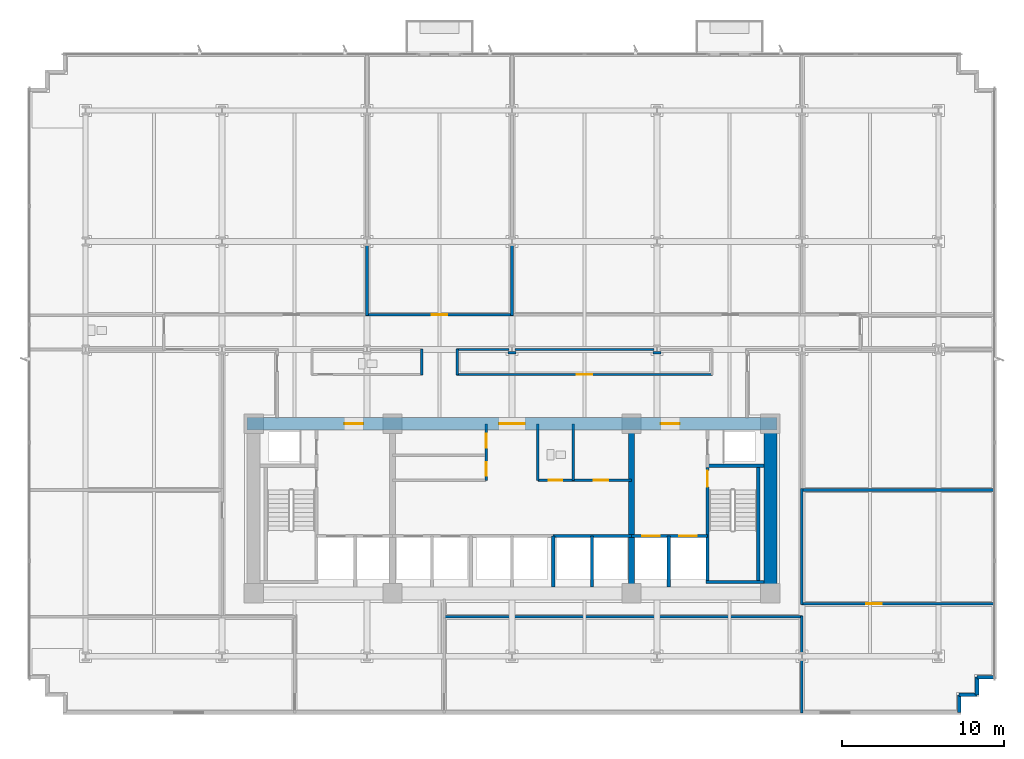
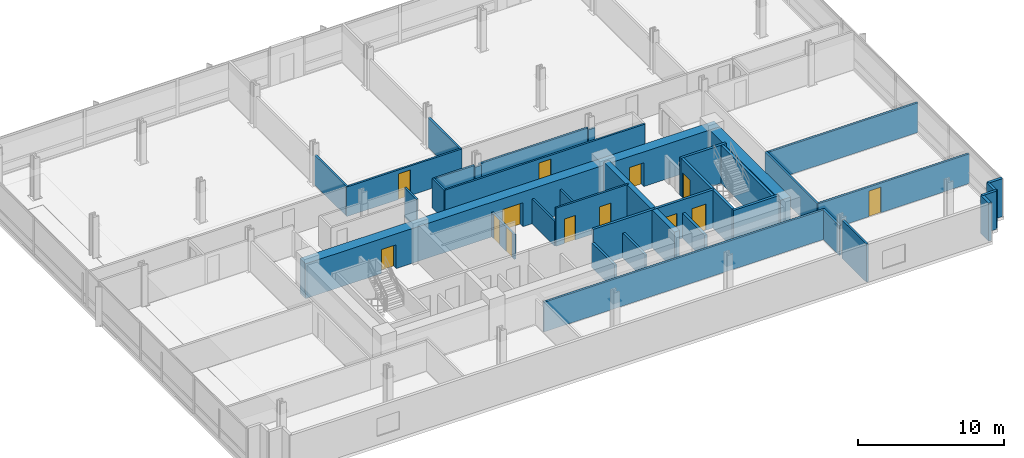
# One storey, part 9 of 14: 36 walls, 13 doors, 13 openings.
"""IFC4 building model written with IfcOpenShell, lengths in metres."""

from ifc_helpers import new_model, si_unit, direction, frame, frame_2d, origin, place, context, subcontext, project, spatial, rectangle, extrude, material, layer, layer_set, type_object, element, fill, save


model = new_model("IFC4")

# Units and contexts
model_context = context("Model", 3, precision=1e-05, world=origin(), true_north=direction((0.0, 1.0)))
body_context = subcontext(model_context, "Body", "Model", "MODEL_VIEW")
ifc_project = project(units=[si_unit("LENGTHUNIT", "METRE"), si_unit("AREAUNIT", "SQUARE_METRE"), si_unit("VOLUMEUNIT", "CUBIC_METRE"), si_unit("PLANEANGLEUNIT", "RADIAN"), si_unit("MASSUNIT", "GRAM", prefix="KILO")], contexts=[model_context])

# Site, building, storey
site_placement = place(None, origin())
site = spatial("IfcSite", under=ifc_project, at=site_placement, CompositionType="ELEMENT")
building_placement = place(site_placement, origin())
building = spatial("IfcBuilding", under=site, at=building_placement, Name="Solmavex Isthmus Hotel", CompositionType="ELEMENT")
storey_placement = place(building_placement, frame((0.0, 0.0, 50.550048828125)))
storey = spatial("IfcBuildingStorey", under=building, at=storey_placement, Name="L13", CompositionType="ELEMENT", Elevation=50.550048828125)

# Walls
ifc_material_1 = material(Name="Precast Concrete C40/50", Category="concrete")
ifc_layer_1 = layer(ifc_material_1, 0.25)
ifc_layer_set_1 = layer_set([ifc_layer_1], Name="Precast Concrete C40/50")
wall_type_1 = type_object("IfcWallType", Name="EW-TWR-250", PredefinedType="STANDARD", material=ifc_layer_set_1)
wall_1_placement = place(storey_placement, frame((29.889892578125, -18.18994140625, 0.0), z_axis=(0.0, 0.0, 1.0), x_axis=(-1.0, 0.0, 0.0)))
element("IfcWall", 1, at=wall_1_placement, inside=storey, type_object=wall_type_1, Name="Serrated Corner Facade Panel L13-16", PredefinedType="STANDARD", context=body_context, shape_type="SweptSolid", body=[
    extrude(rectangle(XDim=1.099853515625, YDim=0.219970703125, at=frame_2d((0.5498046875, 0.0))), origin(), (0.0, 0.0, 1.0), 3.18994140625),
])
for number, where, z_axis, x_axis, name in (
    (2, (28.7900390625, -18.18994140625, 0.0), (0.0, 0.0, 1.0), (0.0, -1.0, 0.0), "Serrated Corner Facade Panel L13-17"),
    (3, (28.7900390625, -19.2900390625, 0.0), (0.0, 0.0, 1.0), (-1.0, 0.0, 0.0), "Serrated Corner Facade Panel L13-18"),
):
    element("IfcWall", number, at=place(storey_placement, frame(where, z_axis=z_axis, x_axis=x_axis)), inside=storey, type_object=wall_type_1, Name=name, PredefinedType="STANDARD", context=body_context, shape_type="SweptSolid", body=[
        extrude(rectangle(XDim=1.10009765625, YDim=0.219970703125, at=frame_2d((0.550048828125, 0.0))), origin(), (0.0, 0.0, 1.0), 3.18994140625),
    ])
wall_2_placement = place(storey_placement, frame((27.68994140625, -19.2900390625, 0.0), z_axis=(0.0, 0.0, 1.0), x_axis=(0.0, -1.0, 0.0)))
element("IfcWall", 4, at=wall_2_placement, inside=storey, type_object=wall_type_1, Name="Serrated Corner Facade Panel L13-19", PredefinedType="STANDARD", context=body_context, shape_type="SweptSolid", body=[
    extrude(rectangle(XDim=1.099853515625, YDim=0.219970703125, at=frame_2d((0.5498046875, 0.0))), origin(), (0.0, 0.0, 1.0), 3.18994140625),
])
ifc_material_2 = material(Name="Gypsum plasterboard lining", Category="gypsum")
ifc_layer_2 = layer(ifc_material_2, 0.159912109375)
ifc_layer_set_2 = layer_set([ifc_layer_2], Name="Gypsum plasterboard lining")
wall_type_2 = type_object("IfcWallType", Name="IW-COMP-160", PredefinedType="PARTITIONING", material=ifc_layer_set_2)
for number, where, z_axis, x_axis, name in (
    (5, (-8.97607421875, 8.613037109375, 0.0), (0.0, 0.0, 1.0), (0.0, -1.0, 0.0), "Interior Partition Wall W-L13-P027"),
    (6, (0.0, 8.613037109375, 0.0), (0.0, 0.0, 1.0), (0.0, -1.0, 0.0), "Interior Partition Wall W-L13-P031"),
):
    element("IfcWall", number, at=place(storey_placement, frame(where, z_axis=z_axis, x_axis=x_axis)), inside=storey, type_object=wall_type_2, Name=name, PredefinedType="PARTITIONING", context=body_context, shape_type="SweptSolid", body=[
        extrude(rectangle(XDim=4.403076171875, YDim=0.159912109375, at=frame_2d((2.20166015625, 0.0))), origin(), (0.0, 0.0, 1.0), 2.4794921875),
    ])
wall_3_placement = place(storey_placement, frame((17.951904296875, -6.51806640625, 0.0), z_axis=(0.0, 0.0, 1.0), x_axis=(0.0, -1.0, 0.0)))
element("IfcWall", 7, at=wall_3_placement, inside=storey, type_object=wall_type_2, Name="Interior Partition Wall W-L13-P048", PredefinedType="PARTITIONING", context=body_context, shape_type="SweptSolid", body=[
    extrude(rectangle(XDim=7.171875, YDim=0.159912109375, at=frame_2d((3.5859375, 0.0))), origin(), (0.0, 0.0, 1.0), 2.4794921875),
])

# Wall, opening, door
wall_4_placement = place(storey_placement, frame((17.912109375, -13.64990234375, 0.0), z_axis=(0.0, 0.0, 1.0), x_axis=(1.0, 0.0, 0.0)))
wall_4 = element("IfcWall", 8, at=wall_4_placement, inside=storey, type_object=wall_type_2, Name="Interior Partition Wall W-L13-P049", PredefinedType="PARTITIONING", context=body_context, shape_type="SweptSolid", body=[
    extrude(rectangle(XDim=12.0078125, YDim=0.159912109375, at=frame_2d((6.00390625, 0.0))), origin(), (0.0, 0.0, 1.0), 2.4794921875),
])
opening_1_placement = place(wall_4_placement, frame((4.026123046875, 0.0, 0.0)))
opening_1 = element("IfcOpeningElement", 9, at=opening_1_placement, cuts=wall_4, Name="Opening ID-C095", PredefinedType="OPENING", context=body_context, shape_type="SweptSolid", body=[
    extrude(rectangle(XDim=0.949951171875, YDim=2.14990234375, at=frame_2d((0.47509765625, 1.074951171875))), frame((0.0, 0.08984375, 0.0), z_axis=(0.0, -1.0, 0.0), x_axis=(1.0, 0.0, 0.0)), (0.0, 0.0, 1.0), 0.179931640625),
])
ifc_material_3 = material(Name="Hardwood timber", Category="wood")
door_type_1 = type_object("IfcDoorType", Name="IDR-FD60-0950", OperationType="NOTDEFINED", PredefinedType="DOOR", material=ifc_material_3)
door_1_placement = place(opening_1_placement, origin())
door_1 = element("IfcDoor", 10, at=door_1_placement, inside=storey, type_object=door_type_1, Name="Corporate Briefing Office Door L13-11", OperationType="SINGLE_SWING_LEFT", OverallHeight=2.14990234375, OverallWidth=0.949951171875, PredefinedType="DOOR", context=body_context, shape_type="SweptSolid", body=[
    extrude(rectangle(XDim=0.949951171875, YDim=2.14990234375, at=frame_2d((0.47509765625, 1.074951171875))), frame((0.0, 0.02490234375, 0.0), z_axis=(0.0, -1.0, 0.0), x_axis=(1.0, 0.0, 0.0)), (0.0, 0.0, 1.0), 0.050048828125),
])
fill(opening_1, door_1)

# Walls
wall_5_placement = place(storey_placement, frame((17.951904296875, -16.72509765625, 0.0), z_axis=(0.0, 0.0, 1.0), x_axis=(0.0, 1.0, 0.0)))
element("IfcWall", 11, at=wall_5_placement, inside=storey, type_object=wall_type_2, Name="Interior Partition Wall W-L13-P051", PredefinedType="PARTITIONING", context=body_context, shape_type="SweptSolid", body=[
    extrude(rectangle(XDim=2.315185546875, YDim=0.159912109375, at=frame_2d((1.15771484375, 0.0))), origin(), (0.0, 0.0, 1.0), 2.4794921875),
])
wall_6_placement = place(storey_placement, frame((17.991943359375, -14.449951171875, 0.0), z_axis=(0.0, 0.0, 1.0), x_axis=(-1.0, 0.0, 0.0)))
element("IfcWall", 12, at=wall_6_placement, inside=storey, type_object=wall_type_2, Name="Interior Partition Wall W-L13-P052", PredefinedType="PARTITIONING", context=body_context, shape_type="SweptSolid", body=[
    extrude(rectangle(XDim=22.23193359375, YDim=0.159912109375, at=frame_2d((11.115966796875, 0.0))), origin(), (0.0, 0.0, 1.0), 2.4794921875),
])
wall_7_placement = place(storey_placement, frame((17.951904296875, -20.419921875, 0.0), z_axis=(0.0, 0.0, 1.0), x_axis=(0.0, 1.0, 0.0)))
element("IfcWall", 13, at=wall_7_placement, inside=storey, type_object=wall_type_2, Name="Interior Partition Wall W-L13-P053", PredefinedType="PARTITIONING", context=body_context, shape_type="SweptSolid", body=[
    extrude(rectangle(XDim=3.344970703125, YDim=0.159912109375, at=frame_2d((1.67236328125, 0.0))), origin(), (0.0, 0.0, 1.0), 3.18994140625),
])
wall_8_placement = place(storey_placement, frame((17.912109375, -6.60009765625, 0.0), z_axis=(0.0, 0.0, 1.0), x_axis=(1.0, 0.0, 0.0)))
element("IfcWall", 14, at=wall_8_placement, inside=storey, type_object=wall_type_2, Name="Interior Partition Wall W-L13-P054", PredefinedType="PARTITIONING", context=body_context, shape_type="SweptSolid", body=[
    extrude(rectangle(XDim=12.0078125, YDim=0.159912109375, at=frame_2d((6.00390625, 0.0))), origin(), (0.0, 0.0, 1.0), 2.4794921875),
])

# Wall, openings, doors
ifc_layer_3 = layer(ifc_material_2, 0.14990234375)
ifc_layer_set_3 = layer_set([ifc_layer_3], Name="Gypsum plasterboard lining")
wall_type_3 = type_object("IfcWallType", Name="IW-CORR-150", PredefinedType="PARTITIONING", material=ifc_layer_set_3)
wall_9_placement = place(storey_placement, frame((-1.60009765625, -6.0, 0.0), z_axis=(0.0, 0.0, 1.0), x_axis=(0.0, 1.0, 0.0)))
wall_9 = element("IfcWall", 15, at=wall_9_placement, inside=storey, type_object=wall_type_3, Name="Interior Partition Wall W-L13-BOH-WE", PredefinedType="PARTITIONING", context=body_context, shape_type="SweptSolid", body=[
    extrude(rectangle(XDim=3.5, YDim=0.14990234375, at=frame_2d((1.75, 0.0))), origin(), (0.0, 0.0, 1.0), 2.074951171875),
])
opening_2_placement = place(wall_9_placement, frame((0.27490234375, 0.0, 0.0)))
opening_2 = element("IfcOpeningElement", 16, at=opening_2_placement, cuts=wall_9, Name="Opening ID-R085", PredefinedType="OPENING", context=body_context, shape_type="SweptSolid", body=[
    extrude(rectangle(XDim=0.85009765625, YDim=2.050048828125, at=frame_2d((0.425048828125, 1.02490234375))), frame((0.0, 0.0849609375, 0.0), z_axis=(0.0, -1.0, 0.0), x_axis=(1.0, 0.0, 0.0)), (0.0, 0.0, 1.0), 0.169921875),
])
opening_3_placement = place(wall_9_placement, frame((2.02490234375, 0.0, 0.0)))
opening_3 = element("IfcOpeningElement", 17, at=opening_3_placement, cuts=wall_9, Name="Opening ID-R085", PredefinedType="OPENING", context=body_context, shape_type="SweptSolid", body=[
    extrude(rectangle(XDim=0.85009765625, YDim=2.050048828125, at=frame_2d((0.425048828125, 1.02490234375))), frame((0.0, 0.0849609375, 0.0), z_axis=(0.0, -1.0, 0.0), x_axis=(1.0, 0.0, 0.0)), (0.0, 0.0, 1.0), 0.169921875),
])
ifc_material_4 = material(Name="Steel ASTM A500 Grade C", Category="steel")
door_type_2 = type_object("IfcDoorType", Name="IDR-FD60-0850", OperationType="NOTDEFINED", PredefinedType="DOOR", material=ifc_material_4)
door_2_placement = place(opening_2_placement, origin())
door_2 = element("IfcDoor", 18, at=door_2_placement, inside=storey, type_object=door_type_2, Name="Housekeeping Door L13", OperationType="SINGLE_SWING_LEFT", OverallHeight=2.050048828125, OverallWidth=0.85009765625, PredefinedType="DOOR", context=body_context, shape_type="SweptSolid", body=[
    extrude(rectangle(XDim=0.85009765625, YDim=2.050048828125, at=frame_2d((0.425048828125, 1.02490234375))), frame((0.0, 0.02490234375, 0.0), z_axis=(0.0, -1.0, 0.0), x_axis=(1.0, 0.0, 0.0)), (0.0, 0.0, 1.0), 0.050048828125),
])
fill(opening_2, door_2)
door_3_placement = place(opening_3_placement, origin())
door_3 = element("IfcDoor", 19, at=door_3_placement, inside=storey, type_object=door_type_2, Name="Valet Store Door L13", OperationType="SINGLE_SWING_RIGHT", OverallHeight=2.050048828125, OverallWidth=0.85009765625, PredefinedType="DOOR", context=body_context, shape_type="SweptSolid", body=[
    extrude(rectangle(XDim=0.85009765625, YDim=2.050048828125, at=frame_2d((0.425048828125, 1.02490234375))), frame((0.0, 0.02490234375, 0.0), z_axis=(0.0, -1.0, 0.0), x_axis=(1.0, 0.0, 0.0)), (0.0, 0.0, 1.0), 0.050048828125),
])
fill(opening_3, door_3)

wall_10_placement = place(storey_placement, frame((1.60009765625, -6.0, 0.0), z_axis=(0.0, 0.0, 1.0), x_axis=(1.0, 0.0, 0.0)))
wall_10 = element("IfcWall", 20, at=wall_10_placement, inside=storey, type_object=wall_type_3, Name="Interior Partition Wall W-L13-BOH-ES", PredefinedType="PARTITIONING", context=body_context, shape_type="SweptSolid", body=[
    extrude(rectangle(XDim=5.7998046875, YDim=0.14990234375, at=frame_2d((2.89990234375, 0.0))), origin(), (0.0, 0.0, 1.0), 3.18994140625),
])
opening_4_placement = place(wall_10_placement, frame((0.675048828125, 0.0, 0.0)))
opening_4 = element("IfcOpeningElement", 21, at=opening_4_placement, cuts=wall_10, Name="Opening ID-R085", PredefinedType="OPENING", context=body_context, shape_type="SweptSolid", body=[
    extrude(rectangle(XDim=0.85009765625, YDim=2.050048828125, at=frame_2d((0.425048828125, 1.02490234375))), frame((0.0, 0.0849609375, 0.0), z_axis=(0.0, -1.0, 0.0), x_axis=(1.0, 0.0, 0.0)), (0.0, 0.0, 1.0), 0.169921875),
])
opening_5_placement = place(wall_10_placement, frame((3.449951171875, 0.0, 0.0)))
opening_5 = element("IfcOpeningElement", 22, at=opening_5_placement, cuts=wall_10, Name="Opening ID-C090", PredefinedType="OPENING", context=body_context, shape_type="SweptSolid", body=[
    extrude(rectangle(XDim=0.89990234375, YDim=2.10009765625, at=frame_2d((0.449951171875, 1.050048828125))), frame((0.0, 0.0849609375, 0.0), z_axis=(0.0, -1.0, 0.0), x_axis=(1.0, 0.0, 0.0)), (0.0, 0.0, 1.0), 0.169921875),
])
door_4_placement = place(opening_4_placement, frame((0.85009765625, 0.0, 0.0), z_axis=(0.0, 0.0, 1.0), x_axis=(-1.0, 0.0, 0.0)))
door_4 = element("IfcDoor", 23, at=door_4_placement, inside=storey, type_object=door_type_2, Name="Staff WC Door L13", OperationType="SINGLE_SWING_LEFT", OverallHeight=2.050048828125, OverallWidth=0.85009765625, PredefinedType="DOOR", context=body_context, shape_type="SweptSolid", body=[
    extrude(rectangle(XDim=0.85009765625, YDim=2.050048828125, at=frame_2d((0.425048828125, 1.02490234375))), frame((0.0, 0.02490234375, 0.0), z_axis=(0.0, -1.0, 0.0), x_axis=(1.0, 0.0, 0.0)), (0.0, 0.0, 1.0), 0.050048828125),
])
fill(opening_4, door_4)
door_type_3 = type_object("IfcDoorType", Name="IDR-FD60-0900", OperationType="NOTDEFINED", PredefinedType="DOOR", material=ifc_material_3)
door_5_placement = place(opening_5_placement, frame((0.89990234375, 0.0, 0.0), z_axis=(0.0, 0.0, 1.0), x_axis=(-1.0, 0.0, 0.0)))
door_5 = element("IfcDoor", 24, at=door_5_placement, inside=storey, type_object=door_type_3, Name="Room Service Door L13", OperationType="SINGLE_SWING_RIGHT", OverallHeight=2.10009765625, OverallWidth=0.89990234375, PredefinedType="DOOR", context=body_context, shape_type="SweptSolid", body=[
    extrude(rectangle(XDim=0.89990234375, YDim=2.10009765625, at=frame_2d((0.449951171875, 1.050048828125))), frame((0.0, 0.02490234375, 0.0), z_axis=(0.0, -1.0, 0.0), x_axis=(1.0, 0.0, 0.0)), (0.0, 0.0, 1.0), 0.050048828125),
])
fill(opening_5, door_5)

# Wall
wall_11_placement = place(storey_placement, frame((1.60009765625, -6.0, 0.0), z_axis=(0.0, 0.0, 1.0), x_axis=(0.0, 1.0, 0.0)))
element("IfcWall", 25, at=wall_11_placement, inside=storey, type_object=wall_type_3, Name="Interior Partition Wall W-L13-BOH-EW", PredefinedType="PARTITIONING", context=body_context, shape_type="SweptSolid", body=[
    extrude(rectangle(XDim=3.5, YDim=0.14990234375, at=frame_2d((1.75, 0.0))), origin(), (0.0, 0.0, 1.0), 2.074951171875),
])

# Wall, opening, door
wall_12_placement = place(storey_placement, frame((-9.05810546875, 4.25, 0.0), z_axis=(0.0, 0.0, 1.0), x_axis=(1.0, 0.0, 0.0)))
wall_12 = element("IfcWall", 26, at=wall_12_placement, inside=storey, type_object=wall_type_3, Name="Interior Partition Wall W-L13-P002", PredefinedType="PARTITIONING", context=body_context, shape_type="SweptSolid", body=[
    extrude(rectangle(XDim=9.14013671875, YDim=0.14990234375, at=frame_2d((4.570068359375, 0.0))), origin(), (0.0, 0.0, 1.0), 2.4794921875),
])
opening_6_placement = place(wall_12_placement, frame((4.094970703125, 0.0, 0.0)))
opening_6 = element("IfcOpeningElement", 27, at=opening_6_placement, cuts=wall_12, Name="Opening ID-C095", PredefinedType="OPENING", context=body_context, shape_type="SweptSolid", body=[
    extrude(rectangle(XDim=0.949951171875, YDim=2.14990234375, at=frame_2d((0.47509765625, 1.074951171875))), frame((0.0, 0.0849609375, 0.0), z_axis=(0.0, -1.0, 0.0), x_axis=(1.0, 0.0, 0.0)), (0.0, 0.0, 1.0), 0.169921875),
])
door_6_placement = place(opening_6_placement, origin())
door_6 = element("IfcDoor", 28, at=door_6_placement, inside=storey, type_object=door_type_1, Name="Executive Club Lounge Door L13-02", OperationType="SINGLE_SWING_RIGHT", OverallHeight=2.14990234375, OverallWidth=0.949951171875, PredefinedType="DOOR", context=body_context, shape_type="SweptSolid", body=[
    extrude(rectangle(XDim=0.949951171875, YDim=2.14990234375, at=frame_2d((0.47509765625, 1.074951171875))), frame((0.0, 0.02490234375, 0.0), z_axis=(0.0, -1.0, 0.0), x_axis=(1.0, 0.0, 0.0)), (0.0, 0.0, 1.0), 0.050048828125),
])
fill(opening_6, door_6)

# Walls
wall_13_placement = place(storey_placement, frame((-5.587890625, 0.510009765625, 0.0), z_axis=(0.0, 0.0, 1.0), x_axis=(0.0, 1.0, 0.0)))
element("IfcWall", 29, at=wall_13_placement, inside=storey, type_object=wall_type_3, Name="Interior Partition Wall W-L13-P006", PredefinedType="PARTITIONING", context=body_context, shape_type="SweptSolid", body=[
    extrude(rectangle(XDim=1.6298828125, YDim=0.14990234375, at=frame_2d((0.81494140625, 0.0))), origin(), (0.0, 0.0, 1.0), 2.4794921875),
])
wall_14_placement = place(storey_placement, frame((9.23095703125, 1.885009765625, 0.0), z_axis=(0.0, 0.0, 1.0), x_axis=(-1.0, 0.0, 0.0)))
element("IfcWall", 30, at=wall_14_placement, inside=storey, type_object=wall_type_3, Name="Interior Partition Wall W-L13-P014", PredefinedType="PARTITIONING", context=body_context, shape_type="SweptSolid", body=[
    extrude(rectangle(XDim=0.510009765625, YDim=0.14990234375, at=frame_2d((0.2548828125, 0.0))), origin(), (0.0, 0.0, 1.0), 2.4794921875),
])
wall_15_placement = place(storey_placement, frame((8.801025390625, 2.10009765625, 0.0), z_axis=(0.0, 0.0, 1.0), x_axis=(-1.0, 0.0, 0.0)))
element("IfcWall", 31, at=wall_15_placement, inside=storey, type_object=wall_type_3, Name="Interior Partition Wall W-L13-P015", PredefinedType="PARTITIONING", context=body_context, shape_type="SweptSolid", body=[
    extrude(rectangle(XDim=8.6259765625, YDim=0.14990234375, at=frame_2d((4.31298828125, 0.0))), origin(), (0.0, 0.0, 1.0), 2.4794921875),
])
wall_16_placement = place(storey_placement, frame((0.2548828125, 1.885009765625, 0.0), z_axis=(0.0, 0.0, 1.0), x_axis=(-1.0, 0.0, 0.0)))
element("IfcWall", 32, at=wall_16_placement, inside=storey, type_object=wall_type_3, Name="Interior Partition Wall W-L13-P016", PredefinedType="PARTITIONING", context=body_context, shape_type="SweptSolid", body=[
    extrude(rectangle(XDim=0.509765625, YDim=0.14990234375, at=frame_2d((0.2548828125, 0.0))), origin(), (0.0, 0.0, 1.0), 2.4794921875),
])
wall_17_placement = place(storey_placement, frame((-0.175048828125, 2.10009765625, 0.0), z_axis=(0.0, 0.0, 1.0), x_axis=(-1.0, 0.0, 0.0)))
element("IfcWall", 33, at=wall_17_placement, inside=storey, type_object=wall_type_3, Name="Interior Partition Wall W-L13-P017", PredefinedType="PARTITIONING", context=body_context, shape_type="SweptSolid", body=[
    extrude(rectangle(XDim=3.2529296875, YDim=0.14990234375, at=frame_2d((1.62646484375, 0.0))), origin(), (0.0, 0.0, 1.0), 2.4794921875),
])
wall_18_placement = place(storey_placement, frame((-3.387939453125, 2.139892578125, 0.0), z_axis=(0.0, 0.0, 1.0), x_axis=(0.0, -1.0, 0.0)))
element("IfcWall", 34, at=wall_18_placement, inside=storey, type_object=wall_type_3, Name="Interior Partition Wall W-L13-P018", PredefinedType="PARTITIONING", context=body_context, shape_type="SweptSolid", body=[
    extrude(rectangle(XDim=1.6298828125, YDim=0.14990234375, at=frame_2d((0.81494140625, 0.0))), origin(), (0.0, 0.0, 1.0), 2.4794921875),
])

# Wall, opening, door
wall_19_placement = place(storey_placement, frame((-3.427978515625, 0.550048828125, 0.0), z_axis=(0.0, 0.0, 1.0), x_axis=(1.0, 0.0, 0.0)))
wall_19 = element("IfcWall", 35, at=wall_19_placement, inside=storey, type_object=wall_type_3, Name="Interior Partition Wall W-L13-P019", PredefinedType="PARTITIONING", context=body_context, shape_type="SweptSolid", body=[
    extrude(rectangle(XDim=15.85205078125, YDim=0.14990234375, at=frame_2d((7.926025390625, 0.0))), origin(), (0.0, 0.0, 1.0), 2.4794921875),
])
opening_7_placement = place(wall_19_placement, frame((7.450927734375, 0.0, 0.0)))
opening_7 = element("IfcOpeningElement", 36, at=opening_7_placement, cuts=wall_19, Name="Opening ID-C095", PredefinedType="OPENING", context=body_context, shape_type="SweptSolid", body=[
    extrude(rectangle(XDim=0.949951171875, YDim=2.14990234375, at=frame_2d((0.47509765625, 1.074951171875))), frame((0.0, 0.0849609375, 0.0), z_axis=(0.0, -1.0, 0.0), x_axis=(1.0, 0.0, 0.0)), (0.0, 0.0, 1.0), 0.169921875),
])
door_7_placement = place(opening_7_placement, origin())
door_7 = element("IfcDoor", 37, at=door_7_placement, inside=storey, type_object=door_type_1, Name="Catering Servery Kitchen Door L13-08", OperationType="SINGLE_SWING_RIGHT", OverallHeight=2.14990234375, OverallWidth=0.949951171875, PredefinedType="DOOR", context=body_context, shape_type="SweptSolid", body=[
    extrude(rectangle(XDim=0.949951171875, YDim=2.14990234375, at=frame_2d((0.47509765625, 1.074951171875))), frame((0.0, 0.02490234375, 0.0), z_axis=(0.0, -1.0, 0.0), x_axis=(1.0, 0.0, 0.0)), (0.0, 0.0, 1.0), 0.050048828125),
])
fill(opening_7, door_7)

# Walls
ifc_layer_4 = layer(ifc_material_2, 0.1201171875)
ifc_layer_set_4 = layer_set([ifc_layer_4], Name="Gypsum plasterboard lining")
wall_type_4 = type_object("IfcWallType", Name="IW-PART-120", PredefinedType="PARTITIONING", material=ifc_layer_set_4)
wall_20_placement = place(storey_placement, frame((3.800048828125, -6.0, 0.0), z_axis=(0.0, 0.0, 1.0), x_axis=(0.0, 1.0, 0.0)))
element("IfcWall", 38, at=wall_20_placement, inside=storey, type_object=wall_type_4, Name="Interior Partition Wall W-L13-BOH-EM3", PredefinedType="PARTITIONING", context=body_context, shape_type="SweptSolid", body=[
    extrude(rectangle(XDim=3.5, YDim=0.14990234375, at=frame_2d((1.75, 0.0))), origin(), (0.0, 0.0, 1.0), 2.074951171875),
])
ifc_material_5 = material(Name="Concrete C40/50", Category="concrete")
ifc_layer_5 = layer(ifc_material_5, 0.179931640625)
ifc_layer_set_5 = layer_set([ifc_layer_5], Name="Concrete C40/50")
wall_type_5 = type_object("IfcWallType", Name="IW-SHAFT-180", PredefinedType="PARTITIONING", material=ifc_layer_set_5)
wall_21_placement = place(storey_placement, frame((4.949951171875, -12.60009765625, 0.0), z_axis=(0.0, 0.0, 1.0), x_axis=(0.0, 1.0, 0.0)))
element("IfcWall", 39, at=wall_21_placement, inside=storey, type_object=wall_type_5, Name="Interior Partition Wall W-L13-SH-PLH-M", PredefinedType="PARTITIONING", context=body_context, shape_type="SweptSolid", body=[
    extrude(rectangle(XDim=3.150146484375, YDim=0.179931640625, at=frame_2d((1.5751953125, 0.0))), origin(), (0.0, 0.0, 1.0), 2.074951171875),
])

# Wall, openings, doors
ifc_layer_6 = layer(ifc_material_5, 0.199951171875)
ifc_layer_set_6 = layer_set([ifc_layer_6], Name="Concrete C40/50")
wall_type_6 = type_object("IfcWallType", Name="IW-SHAFT-200", PredefinedType="PARTITIONING", material=ifc_layer_set_6)
wall_22_placement = place(storey_placement, frame((7.39990234375, -9.449951171875, 0.0), z_axis=(0.0, 0.0, 1.0), x_axis=(1.0, 0.0, 0.0)))
wall_22 = element("IfcWall", 40, at=wall_22_placement, inside=storey, type_object=wall_type_6, Name="Interior Partition Wall W-L13-FFLE-S", PredefinedType="PARTITIONING", context=body_context, shape_type="SweptSolid", body=[
    extrude(rectangle(XDim=4.7001953125, YDim=0.199951171875, at=frame_2d((2.35009765625, 0.0))), origin(), (0.0, 0.0, 1.0), 3.18994140625),
])
opening_8_placement = place(wall_22_placement, frame((2.949951171875, 0.0, 0.0)))
opening_8 = element("IfcOpeningElement", 41, at=opening_8_placement, cuts=wall_22, Name="Opening LD-FF", PredefinedType="OPENING", context=body_context, shape_type="SweptSolid", body=[
    extrude(rectangle(XDim=1.10009765625, YDim=2.199951171875, at=frame_2d((0.550048828125, 1.10009765625))), frame((0.0, 0.10986328125, 0.0), z_axis=(0.0, -1.0, 0.0), x_axis=(1.0, 0.0, 0.0)), (0.0, 0.0, 1.0), 0.219970703125),
])
opening_9_placement = place(wall_22_placement, frame((0.64990234375, 0.0, 0.0)))
opening_9 = element("IfcOpeningElement", 42, at=opening_9_placement, cuts=wall_22, Name="Opening LD-SV", PredefinedType="OPENING", context=body_context, shape_type="SweptSolid", body=[
    extrude(rectangle(XDim=1.10009765625, YDim=2.199951171875, at=frame_2d((0.550048828125, 1.10009765625))), frame((0.0, 0.10986328125, 0.0), z_axis=(0.0, -1.0, 0.0), x_axis=(1.0, 0.0, 0.0)), (0.0, 0.0, 1.0), 0.219970703125),
])
ifc_material_6 = material(Name="Stainless steel 316", Category="steel")
door_type_4 = type_object("IfcDoorType", Name="LDR-FF-1100", OperationType="NOTDEFINED", PredefinedType="DOOR", material=ifc_material_6)
door_8_placement = place(opening_8_placement, origin())
door_8 = element("IfcDoor", 43, at=door_8_placement, inside=storey, type_object=door_type_4, Name="Lift Landing Door FFL-2 L13", OperationType="SLIDING_TO_LEFT", OverallHeight=2.199951171875, OverallWidth=1.10009765625, PredefinedType="DOOR", context=body_context, shape_type="SweptSolid", body=[
    extrude(rectangle(XDim=1.10009765625, YDim=2.199951171875, at=frame_2d((0.550048828125, 1.10009765625))), frame((0.0, 0.02490234375, 0.0), z_axis=(0.0, -1.0, 0.0), x_axis=(1.0, 0.0, 0.0)), (0.0, 0.0, 1.0), 0.050048828125),
])
fill(opening_8, door_8)
door_type_5 = type_object("IfcDoorType", Name="LDR-SV-1100", OperationType="NOTDEFINED", PredefinedType="DOOR", material=ifc_material_6)
door_9_placement = place(opening_9_placement, origin())
door_9 = element("IfcDoor", 44, at=door_9_placement, inside=storey, type_object=door_type_5, Name="Lift Landing Door SVL-2 L13", OperationType="SLIDING_TO_RIGHT", OverallHeight=2.199951171875, OverallWidth=1.10009765625, PredefinedType="DOOR", context=body_context, shape_type="SweptSolid", body=[
    extrude(rectangle(XDim=1.10009765625, YDim=2.199951171875, at=frame_2d((0.550048828125, 1.10009765625))), frame((0.0, 0.02490234375, 0.0), z_axis=(0.0, -1.0, 0.0), x_axis=(1.0, 0.0, 0.0)), (0.0, 0.0, 1.0), 0.050048828125),
])
fill(opening_9, door_9)

# Walls
for number, where, z_axis, x_axis, name in (
    (45, (9.699951171875, -12.60009765625, 0.0), (0.0, 0.0, 1.0), (0.0, 1.0, 0.0), "Interior Partition Wall W-L13-FFLE-M"),
    (46, (2.550048828125, -12.60009765625, 0.0), (0.0, 0.0, 1.0), (0.0, 1.0, 0.0), "Interior Partition Wall W-L13-SH-PLM-E"),
):
    element("IfcWall", number, at=place(storey_placement, frame(where, z_axis=z_axis, x_axis=x_axis)), inside=storey, type_object=wall_type_6, Name=name, PredefinedType="PARTITIONING", context=body_context, shape_type="SweptSolid", body=[
        extrude(rectangle(XDim=3.150146484375, YDim=0.199951171875, at=frame_2d((1.5751953125, 0.0))), origin(), (0.0, 0.0, 1.0), 2.074951171875),
    ])
wall_23_placement = place(storey_placement, frame((2.550048828125, -9.449951171875, 0.0), z_axis=(0.0, 0.0, 1.0), x_axis=(1.0, 0.0, 0.0)))
element("IfcWall", 47, at=wall_23_placement, inside=storey, type_object=wall_type_6, Name="Interior Partition Wall W-L13-SH-PLH", PredefinedType="PARTITIONING", context=body_context, shape_type="SweptSolid", body=[
    extrude(rectangle(XDim=4.849853515625, YDim=0.199951171875, at=frame_2d((2.4248046875, 0.0))), origin(), (0.0, 0.0, 1.0), 3.18994140625),
])
ifc_material_7 = material(Name="Concrete C70/85", Category="concrete")
ifc_layer_7 = layer(ifc_material_7, 0.39990234375)
ifc_layer_set_7 = layer_set([ifc_layer_7], Name="Concrete C70/85")
wall_type_7 = type_object("IfcWallType", Name="WALL-CW-400L", PredefinedType="SHEAR", material=ifc_layer_set_7)
wall_24_placement = place(storey_placement, frame((7.39990234375, -12.60009765625, 0.0), z_axis=(0.0, 0.0, 1.0), x_axis=(0.0, 1.0, 0.0)))
element("IfcWall", 48, at=wall_24_placement, inside=storey, type_object=wall_type_7, Name="Core Cross Shear Wall C2 L13", PredefinedType="SHEAR", context=body_context, shape_type="SweptSolid", body=[
    extrude(rectangle(XDim=9.7001953125, YDim=0.39990234375, at=frame_2d((4.85009765625, 0.0))), origin(), (0.0, 0.0, 1.0), 3.18994140625),
])

# Wall, openings, doors
ifc_layer_8 = layer(ifc_material_7, 0.800048828125)
ifc_layer_set_8 = layer_set([ifc_layer_8], Name="Concrete C70/85")
wall_type_8 = type_object("IfcWallType", Name="WALL-CW-800", PredefinedType="SHEAR", material=ifc_layer_set_8)
wall_25_placement = place(storey_placement, frame((-16.39990234375, -2.5, 0.0), z_axis=(0.0, 0.0, 1.0), x_axis=(1.0, 0.0, 0.0)))
wall_25 = element("IfcWall", 49, at=wall_25_placement, inside=storey, type_object=wall_type_8, Name="Core Shear Wall North L13", PredefinedType="SHEAR", context=body_context, shape_type="SweptSolid", body=[
    extrude(rectangle(XDim=32.7998046875, YDim=0.800048828125, at=frame_2d((16.39990234375, 0.0))), origin(), (0.0, 0.0, 1.0), 2.909912109375),
])
opening_10_placement = place(wall_25_placement, frame((6.02490234375, 0.0, 0.0)))
opening_10 = element("IfcOpeningElement", 50, at=opening_10_placement, cuts=wall_25, Name="Opening ID-F915", PredefinedType="OPENING", context=body_context, shape_type="SweptSolid", body=[
    extrude(rectangle(XDim=1.14990234375, YDim=2.0, at=frame_2d((0.574951171875, 1.0))), frame((0.0, 0.409912109375, 0.0), z_axis=(0.0, -1.0, 0.0), x_axis=(1.0, 0.0, 0.0)), (0.0, 0.0, 1.0), 0.820068359375),
])
opening_11_placement = place(wall_25_placement, frame((15.60009765625, 0.0, 0.0)))
opening_11 = element("IfcOpeningElement", 51, at=opening_11_placement, cuts=wall_25, Name="Opening ID-F960", PredefinedType="OPENING", context=body_context, shape_type="SweptSolid", body=[
    extrude(rectangle(XDim=1.60009765625, YDim=2.0, at=frame_2d((0.800048828125, 1.0))), frame((0.0, 0.409912109375, 0.0), z_axis=(0.0, -1.0, 0.0), x_axis=(1.0, 0.0, 0.0)), (0.0, 0.0, 1.0), 0.820068359375),
])
opening_12_placement = place(wall_25_placement, frame((25.625, 0.0, 0.0)))
opening_12 = element("IfcOpeningElement", 52, at=opening_12_placement, cuts=wall_25, Name="Opening ID-F915", PredefinedType="OPENING", context=body_context, shape_type="SweptSolid", body=[
    extrude(rectangle(XDim=1.14990234375, YDim=2.0, at=frame_2d((0.574951171875, 1.0))), frame((0.0, 0.409912109375, 0.0), z_axis=(0.0, -1.0, 0.0), x_axis=(1.0, 0.0, 0.0)), (0.0, 0.0, 1.0), 0.820068359375),
])
door_type_6 = type_object("IfcDoorType", Name="IDR-FD90-1150C", OperationType="NOTDEFINED", PredefinedType="DOOR", material=ifc_material_4)
door_10_placement = place(opening_10_placement, origin())
door_10 = element("IfcDoor", 53, at=door_10_placement, inside=storey, type_object=door_type_6, Name="Firefighting Lobby West Exit Door L13", OperationType="SINGLE_SWING_LEFT", OverallHeight=2.0, OverallWidth=1.14990234375, PredefinedType="DOOR", context=body_context, shape_type="SweptSolid", body=[
    extrude(rectangle(XDim=1.14990234375, YDim=2.0, at=frame_2d((0.574951171875, 1.0))), frame((0.0, 0.02490234375, 0.0), z_axis=(0.0, -1.0, 0.0), x_axis=(1.0, 0.0, 0.0)), (0.0, 0.0, 1.0), 0.050048828125),
])
fill(opening_10, door_10)
door_11_placement = place(opening_12_placement, origin())
door_11 = element("IfcDoor", 54, at=door_11_placement, inside=storey, type_object=door_type_6, Name="Firefighting Lobby East Exit Door L13", OperationType="SINGLE_SWING_RIGHT", OverallHeight=2.0, OverallWidth=1.14990234375, PredefinedType="DOOR", context=body_context, shape_type="SweptSolid", body=[
    extrude(rectangle(XDim=1.14990234375, YDim=2.0, at=frame_2d((0.574951171875, 1.0))), frame((0.0, 0.02490234375, 0.0), z_axis=(0.0, -1.0, 0.0), x_axis=(1.0, 0.0, 0.0)), (0.0, 0.0, 1.0), 0.050048828125),
])
fill(opening_12, door_11)
door_type_7 = type_object("IfcDoorType", Name="IDR-FD90-1600C", OperationType="NOTDEFINED", PredefinedType="DOOR", material=ifc_material_4)
door_12_placement = place(opening_11_placement, origin())
door_12 = element("IfcDoor", 55, at=door_12_placement, inside=storey, type_object=door_type_7, Name="Central Lift Lobby Door L13", OperationType="DOUBLE_DOOR_SINGLE_SWING", OverallHeight=2.0, OverallWidth=1.60009765625, PredefinedType="DOOR", context=body_context, shape_type="SweptSolid", body=[
    extrude(rectangle(XDim=1.60009765625, YDim=2.0, at=frame_2d((0.800048828125, 1.0))), frame((0.0, 0.02490234375, 0.0), z_axis=(0.0, -1.0, 0.0), x_axis=(1.0, 0.0, 0.0)), (0.0, 0.0, 1.0), 0.050048828125),
])
fill(opening_11, door_12)

# Walls
wall_26_placement = place(storey_placement, frame((16.0, -12.60009765625, 0.0), z_axis=(0.0, 0.0, 1.0), x_axis=(0.0, 1.0, 0.0)))
element("IfcWall", 56, at=wall_26_placement, inside=storey, type_object=wall_type_8, Name="Core Shear Wall East L13", PredefinedType="SHEAR", context=body_context, shape_type="SweptSolid", body=[
    extrude(rectangle(XDim=9.7001953125, YDim=0.800048828125, at=frame_2d((4.85009765625, 0.0))), origin(), (0.0, 0.0, 1.0), 2.909912109375),
])
ifc_layer_9 = layer(ifc_material_5, 0.199951171875)
ifc_layer_set_9 = layer_set([ifc_layer_9], Name="Concrete C40/50")
wall_type_9 = type_object("IfcWallType", Name="WALL-SW-200", PredefinedType="SOLIDWALL", material=ifc_layer_set_9)
for number, where, z_axis, x_axis, name in (
    (57, (12.0, -12.300048828125, 0.0), (0.0, 0.0, 1.0), (1.0, 0.0, 0.0), "Stairwell Structural Wall SW-L13-ST2-S"),
    (58, (12.0, -5.10009765625, 0.0), (0.0, 0.0, 1.0), (1.0, 0.0, 0.0), "Stairwell Structural Wall SW-L13-ST2-N"),
):
    element("IfcWall", number, at=place(storey_placement, frame(where, z_axis=z_axis, x_axis=x_axis)), inside=storey, type_object=wall_type_9, Name=name, PredefinedType="SOLIDWALL", context=body_context, shape_type="SweptSolid", body=[
        extrude(rectangle(XDim=3.60009765625, YDim=0.199951171875, at=frame_2d((1.800048828125, 0.0))), origin(), (0.0, 0.0, 1.0), 3.18994140625),
    ])

# Wall, opening, door
wall_27_placement = place(storey_placement, frame((12.10009765625, -12.199951171875, 0.0), z_axis=(0.0, 0.0, 1.0), x_axis=(0.0, 1.0, 0.0)))
wall_27 = element("IfcWall", 59, at=wall_27_placement, inside=storey, type_object=wall_type_9, Name="Stairwell Structural Wall SW-L13-ST2-W", PredefinedType="SOLIDWALL", context=body_context, shape_type="SweptSolid", body=[
    extrude(rectangle(XDim=7.0, YDim=0.199951171875, at=frame_2d((3.5, 0.0))), origin(), (0.0, 0.0, 1.0), 3.18994140625),
])
opening_13_placement = place(wall_27_placement, frame((5.800048828125, 0.0, 0.0)))
opening_13 = element("IfcOpeningElement", 60, at=opening_13_placement, cuts=wall_27, Name="Opening ID-F100", PredefinedType="OPENING", context=body_context, shape_type="SweptSolid", body=[
    extrude(rectangle(XDim=1.0, YDim=2.10009765625, at=frame_2d((0.5, 1.050048828125))), frame((0.0, 0.10986328125, 0.0), z_axis=(0.0, -1.0, 0.0), x_axis=(1.0, 0.0, 0.0)), (0.0, 0.0, 1.0), 0.219970703125),
])
door_type_8 = type_object("IfcDoorType", Name="IDR-FD90-1000", OperationType="NOTDEFINED", PredefinedType="DOOR", material=ifc_material_4)
door_13_placement = place(opening_13_placement, origin())
door_13 = element("IfcDoor", 61, at=door_13_placement, inside=storey, type_object=door_type_8, Name="Stair ST-2 Fire Door L13", OperationType="SINGLE_SWING_RIGHT", OverallHeight=2.10009765625, OverallWidth=1.0, PredefinedType="DOOR", context=body_context, shape_type="SweptSolid", body=[
    extrude(rectangle(XDim=1.0, YDim=2.10009765625, at=frame_2d((0.5, 1.050048828125))), frame((0.0, 0.02490234375, 0.0), z_axis=(0.0, -1.0, 0.0), x_axis=(1.0, 0.0, 0.0)), (0.0, 0.0, 1.0), 0.050048828125),
])
fill(opening_13, door_13)

# Wall
wall_28_placement = place(storey_placement, frame((15.25, -12.199951171875, 0.0), z_axis=(0.0, 0.0, 1.0), x_axis=(0.0, 1.0, 0.0)))
element("IfcWall", 62, at=wall_28_placement, inside=storey, type_object=wall_type_9, Name="Stairwell Structural Wall SW-L13-ST2-E", PredefinedType="SOLIDWALL", context=body_context, shape_type="SweptSolid", body=[
    extrude(rectangle(XDim=7.0, YDim=0.199951171875, at=frame_2d((3.5, 0.0))), origin(), (0.0, 0.0, 1.0), 3.18994140625),
])

save(model, "model.ifc")
